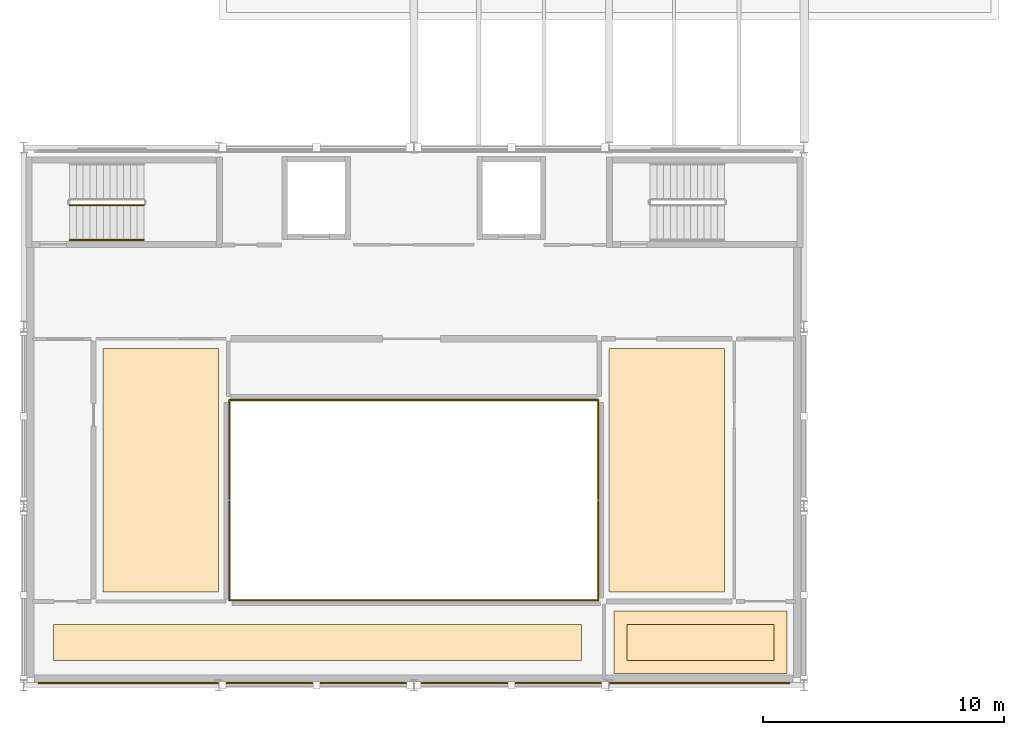
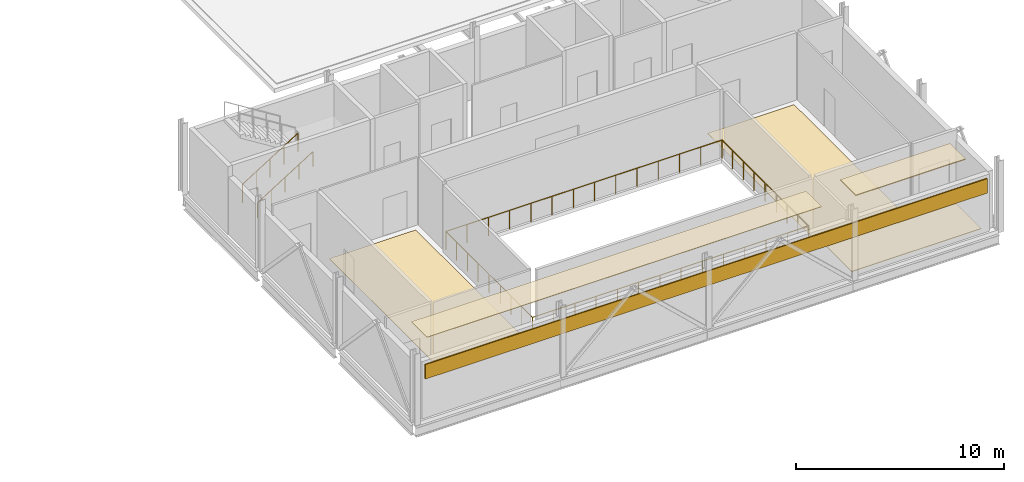
# One storey, part 5 of 7: 6 coverings, 4 railings.
"""IFC4 building model written with IfcOpenShell, lengths in metres."""

from ifc_helpers import new_model, si_unit, direction, frame, origin, origin_2d, place, context, subcontext, project, spatial, polyline, rectangle, circle, outline, extrude, material, layer, layer_set, type_object, element, save


model = new_model("IFC4")

# Units and contexts
model_context = context("Model", 3, precision=1e-05, world=origin(), true_north=direction((0.0, 1.0)))
body_context = subcontext(model_context, "Body", "Model", "MODEL_VIEW")
ifc_project = project(units=[si_unit("LENGTHUNIT", "METRE"), si_unit("AREAUNIT", "SQUARE_METRE"), si_unit("VOLUMEUNIT", "CUBIC_METRE"), si_unit("PLANEANGLEUNIT", "RADIAN"), si_unit("MASSUNIT", "GRAM", prefix="KILO")], contexts=[model_context])

# Site, building, storey
site_placement = place(None, origin())
site = spatial("IfcSite", under=ifc_project, at=site_placement, CompositionType="ELEMENT")
building_placement = place(site_placement, origin())
building = spatial("IfcBuilding", under=site, at=building_placement, Name="Kaelora Sail Theatre", CompositionType="ELEMENT")
storey_placement = place(building_placement, frame((0.0, 0.0, 23.39990234375)))
storey = spatial("IfcBuildingStorey", under=building, at=storey_placement, Name="L05", CompositionType="ELEMENT", Elevation=23.39990234375)

# Coverings
ifc_material_1 = material(Name="Micro-perforated timber acoustic reflector", Category="wood")
ifc_layer_1 = layer(ifc_material_1, 0.050048828125)
ifc_layer_set_1 = layer_set([ifc_layer_1], Name="Micro-perforated timber acoustic reflector")
covering_type_1 = type_object("IfcCoveringType", Name="ARC-COV-CLG-AC-50", PredefinedType="CEILING", material=ifc_layer_set_1)
covering_1_placement = place(storey_placement, frame((0.0, 0.0, 3.93017578125)))
element("IfcCovering", 1, at=covering_1_placement, inside=storey, type_object=covering_type_1, Name="Acoustic ceiling L05-FLY-DIM", PredefinedType="CEILING", context=body_context, shape_type="SweptSolid", body=[
    extrude(outline(polyline([(50.85009765625, 62.050048828125), (56.949951171875, 62.050048828125), (56.949951171875, 63.550048828125), (50.85009765625, 63.550048828125), (50.85009765625, 62.050048828125)])), origin(), (0.0, 0.0, 1.0), 0.0498046875),
])
ifc_material_2 = material(Name="Suspended acoustic mineral-fibre ceiling", Category="gypsum")
ifc_layer_2 = layer(ifc_material_2, 0.034912109375)
ifc_layer_set_2 = layer_set([ifc_layer_2], Name="Suspended acoustic mineral-fibre ceiling")
covering_type_2 = type_object("IfcCoveringType", Name="ARC-COV-CLG-GYP-35", PredefinedType="CEILING", material=ifc_layer_set_2)
covering_2_placement = place(storey_placement, frame((0.0, 0.0, 3.945068359375)))
element("IfcCovering", 2, at=covering_2_placement, inside=storey, type_object=covering_type_2, Name="Acoustic ceiling L05-FLY-SOUTH", PredefinedType="CEILING", context=body_context, shape_type="SweptSolid", body=[
    extrude(outline(polyline([(27.050048828125, 62.050048828125), (48.949951171875, 62.050048828125), (48.949951171875, 63.550048828125), (27.050048828125, 63.550048828125), (27.050048828125, 62.050048828125)])), origin(), (0.0, 0.0, 1.0), 0.034912109375),
])
ifc_material_3 = material(Name="Acoustic rubber backstage studio flooring", Category="rubber")
ifc_layer_3 = layer(ifc_material_3, 0.02197265625)
ifc_layer_set_3 = layer_set([ifc_layer_3], Name="Acoustic rubber backstage studio flooring")
covering_type_3 = type_object("IfcCoveringType", Name="ARC-COV-FLR-AC-22", PredefinedType="FLOORING", material=ifc_layer_set_3)
covering_3_placement = place(storey_placement, origin())
element("IfcCovering", 3, at=covering_3_placement, inside=storey, type_object=covering_type_3, Name="Architectural flooring L05-FLY-CLD", PredefinedType="FLOORING", context=body_context, shape_type="SweptSolid", body=[
    extrude(outline(polyline([(29.10009765625, 64.89990234375), (33.89990234375, 64.89990234375), (33.89990234375, 75.0), (29.10009765625, 75.0), (29.10009765625, 64.89990234375)])), origin(), (0.0, 0.0, 1.0), 0.022216796875),
])
covering_4_placement = place(storey_placement, origin())
element("IfcCovering", 4, at=covering_4_placement, inside=storey, type_object=covering_type_3, Name="Architectural flooring L05-FLY-CWT", PredefinedType="FLOORING", context=body_context, shape_type="SweptSolid", body=[
    extrude(outline(polyline([(50.10009765625, 64.89990234375), (54.89990234375, 64.89990234375), (54.89990234375, 75.0), (50.10009765625, 75.0), (50.10009765625, 64.89990234375)])), origin(), (0.0, 0.0, 1.0), 0.022216796875),
])
ifc_material_4 = material(Name="Sprung West African iroko stage and dance floor", Category="timber")
ifc_layer_4 = layer(ifc_material_4, 0.028076171875)
ifc_layer_set_4 = layer_set([ifc_layer_4], Name="Sprung West African iroko stage and dance floor")
covering_type_4 = type_object("IfcCoveringType", Name="ARC-COV-FLR-OAK-28", PredefinedType="FLOORING", material=ifc_layer_set_4)
covering_5_placement = place(storey_placement, origin())
element("IfcCovering", 5, at=covering_5_placement, inside=storey, type_object=covering_type_4, Name="Architectural flooring L05-FLY-DIM", PredefinedType="FLOORING", context=body_context, shape_type="SweptSolid", body=[
    extrude(outline(polyline([(50.300048828125, 61.5), (57.5, 61.5), (57.5, 64.10009765625), (50.300048828125, 64.10009765625), (50.300048828125, 61.5)])), origin(), (0.0, 0.0, 1.0), 0.028076171875),
])
ifc_material_5 = material(Name="Warm terracotta acoustic Postmodern facade entablature", Category="masonry")
ifc_layer_5 = layer(ifc_material_5, 0.06494140625)
ifc_layer_set_5 = layer_set([ifc_layer_5], Name="Warm terracotta acoustic Postmodern facade entablature")
covering_type_5 = type_object("IfcCoveringType", Name="ARC-COV-TRC", PredefinedType="CLADDING", material=ifc_layer_set_5)
covering_6_placement = place(storey_placement, frame((42.0, 61.1201171875, 2.324951171875), z_axis=(0.0, 0.0, 1.0), x_axis=(1.0, 0.0, 0.0)))
element("IfcCovering", 6, at=covering_6_placement, inside=storey, type_object=covering_type_5, Name="Fly Tower South Terracotta Frieze Band (L05)", PredefinedType="CLADDING", context=body_context, shape_type="SweptSolid", body=[
    extrude(rectangle(XDim=31.199951171875, YDim=0.06494140625, at=origin_2d()), origin(), (0.0, 0.0, 1.0), 0.85009765625),
])

# Railings
ifc_material_6 = material(Name="Painted steel and laminated safety glass guard", Category="steel")
railing_type_1 = type_object("IfcRailingType", Name="ARC-RL-GRD", PredefinedType="GUARDRAIL", material=ifc_material_6)
railing_1_placement = place(storey_placement, frame((27.7099609375, 80.949951171875, 0.175048828125)))
element("IfcRailing", 7, at=railing_1_placement, inside=storey, type_object=railing_type_1, Name="L05 ST-K1 stair guard 1", PredefinedType="GUARDRAIL", context=body_context, shape_type="SweptSolid", body=[
    extrude(circle(Radius=0.02392578125, at=origin_2d()), frame((0.0, 0.0, 1.076171875), z_axis=(0.847998304005, 0.0, 0.529998940003), x_axis=(0.0, 1.0, 0.0)), (0.0, 0.0, 1.0), 3.632080078125),
    extrude(circle(Radius=0.02099609375, at=origin_2d()), origin(), (0.0, 0.0, 1.0), 1.052001953125),
    extrude(circle(Radius=0.02099609375, at=origin_2d()), frame((0.77001953125, 0.0, 0.481201171875)), (0.0, 0.0, 1.0), 1.052001953125),
    extrude(circle(Radius=0.02099609375, at=origin_2d()), frame((1.5400390625, 0.0, 0.96240234375)), (0.0, 0.0, 1.0), 1.052001953125),
    extrude(circle(Radius=0.02099609375, at=origin_2d()), frame((2.31005859375, 0.0, 1.44384765625)), (0.0, 0.0, 1.0), 1.052001953125),
    extrude(circle(Radius=0.02099609375, at=origin_2d()), frame((3.080078125, 0.0, 1.925048828125)), (0.0, 0.0, 1.0), 1.052001953125),
])
railing_2_placement = place(storey_placement, frame((34.340087890625, 68.64990234375, 0.0)))
element("IfcRailing", 8, at=railing_2_placement, inside=storey, type_object=railing_type_1, Name="Interior void balustrade FLY-V5 south", PredefinedType="GUARDRAIL", context=body_context, shape_type="SweptSolid", body=[
    extrude(circle(Radius=0.02392578125, at=origin_2d()), frame((0.0, 0.0, 1.076171875), z_axis=(0.0, -1.0, 0.0), x_axis=(1.0, 0.0, 0.0)), (0.0, 0.0, 1.0), 4.10986328125),
    extrude(circle(Radius=0.02392578125, at=origin_2d()), frame((0.0, -4.10986328125, 1.076171875), z_axis=(1.0, 0.0, 0.0), x_axis=(0.0, 1.0, 0.0)), (0.0, 0.0, 1.0), 15.31982421875),
    extrude(circle(Radius=0.02392578125, at=origin_2d()), frame((15.31982421875, -4.10986328125, 1.076171875), z_axis=(0.0, 1.0, 0.0), x_axis=(-1.0, 0.0, 0.0)), (0.0, 0.0, 1.0), 4.10986328125),
    extrude(circle(Radius=0.02099609375, at=origin_2d()), origin(), (0.0, 0.0, 1.0), 1.052001953125),
    extrude(circle(Radius=0.02099609375, at=origin_2d()), frame((0.0, -1.02734375, 0.0)), (0.0, 0.0, 1.0), 1.052001953125),
    extrude(circle(Radius=0.02099609375, at=origin_2d()), frame((0.0, -2.054931640625, 0.0)), (0.0, 0.0, 1.0), 1.052001953125),
    extrude(circle(Radius=0.02099609375, at=origin_2d()), frame((0.0, -3.08251953125, 0.0)), (0.0, 0.0, 1.0), 1.052001953125),
    extrude(circle(Radius=0.02099609375, at=origin_2d()), frame((0.0, -4.10986328125, 0.0)), (0.0, 0.0, 1.0), 1.052001953125),
    extrude(circle(Radius=0.02099609375, at=origin_2d()), frame((1.178466796875, -4.10986328125, 0.0)), (0.0, 0.0, 1.0), 1.052001953125),
    extrude(circle(Radius=0.02099609375, at=origin_2d()), frame((2.35693359375, -4.10986328125, 0.0)), (0.0, 0.0, 1.0), 1.052001953125),
    extrude(circle(Radius=0.02099609375, at=origin_2d()), frame((3.535400390625, -4.10986328125, 0.0)), (0.0, 0.0, 1.0), 1.052001953125),
    extrude(circle(Radius=0.02099609375, at=origin_2d()), frame((4.7138671875, -4.10986328125, 0.0)), (0.0, 0.0, 1.0), 1.052001953125),
    extrude(circle(Radius=0.02099609375, at=origin_2d()), frame((5.892333984375, -4.10986328125, 0.0)), (0.0, 0.0, 1.0), 1.052001953125),
    extrude(circle(Radius=0.02099609375, at=origin_2d()), frame((7.07080078125, -4.10986328125, 0.0)), (0.0, 0.0, 1.0), 1.052001953125),
    extrude(circle(Radius=0.02099609375, at=origin_2d()), frame((8.2490234375, -4.10986328125, 0.0)), (0.0, 0.0, 1.0), 1.052001953125),
    extrude(circle(Radius=0.02099609375, at=origin_2d()), frame((9.427490234375, -4.10986328125, 0.0)), (0.0, 0.0, 1.0), 1.052001953125),
    extrude(circle(Radius=0.02099609375, at=origin_2d()), frame((10.60595703125, -4.10986328125, 0.0)), (0.0, 0.0, 1.0), 1.052001953125),
    extrude(circle(Radius=0.02099609375, at=origin_2d()), frame((11.784423828125, -4.10986328125, 0.0)), (0.0, 0.0, 1.0), 1.052001953125),
    extrude(circle(Radius=0.02099609375, at=origin_2d()), frame((12.962890625, -4.10986328125, 0.0)), (0.0, 0.0, 1.0), 1.052001953125),
    extrude(circle(Radius=0.02099609375, at=origin_2d()), frame((14.141357421875, -4.10986328125, 0.0)), (0.0, 0.0, 1.0), 1.052001953125),
    extrude(circle(Radius=0.02099609375, at=origin_2d()), frame((15.31982421875, -4.10986328125, 0.0)), (0.0, 0.0, 1.0), 1.052001953125),
    extrude(circle(Radius=0.02099609375, at=origin_2d()), frame((15.31982421875, -3.08251953125, 0.0)), (0.0, 0.0, 1.0), 1.052001953125),
    extrude(circle(Radius=0.02099609375, at=origin_2d()), frame((15.31982421875, -2.054931640625, 0.0)), (0.0, 0.0, 1.0), 1.052001953125),
    extrude(circle(Radius=0.02099609375, at=origin_2d()), frame((15.31982421875, -1.02734375, 0.0)), (0.0, 0.0, 1.0), 1.052001953125),
    extrude(circle(Radius=0.02099609375, at=origin_2d()), frame((15.31982421875, 0.0, 0.0)), (0.0, 0.0, 1.0), 1.052001953125),
])
railing_3_placement = place(storey_placement, frame((49.659912109375, 68.75, 0.0)))
element("IfcRailing", 9, at=railing_3_placement, inside=storey, type_object=railing_type_1, Name="Interior void balustrade FLY-V5 north", PredefinedType="GUARDRAIL", context=body_context, shape_type="SweptSolid", body=[
    extrude(circle(Radius=0.02392578125, at=origin_2d()), frame((0.0, 0.0, 1.076171875), z_axis=(0.0, 1.0, 0.0), x_axis=(-1.0, 0.0, 0.0)), (0.0, 0.0, 1.0), 4.110107421875),
    extrude(circle(Radius=0.02392578125, at=origin_2d()), frame((0.0, 4.110107421875, 1.076171875), z_axis=(-1.0, 0.0, 0.0), x_axis=(0.0, -1.0, 0.0)), (0.0, 0.0, 1.0), 15.31982421875),
    extrude(circle(Radius=0.02392578125, at=origin_2d()), frame((-15.31982421875, 4.110107421875, 1.076171875), z_axis=(0.0, -1.0, 0.0), x_axis=(1.0, 0.0, 0.0)), (0.0, 0.0, 1.0), 4.110107421875),
    extrude(circle(Radius=0.02099609375, at=origin_2d()), origin(), (0.0, 0.0, 1.0), 1.052001953125),
    extrude(circle(Radius=0.02099609375, at=origin_2d()), frame((0.0, 1.027587890625, 0.0)), (0.0, 0.0, 1.0), 1.052001953125),
    extrude(circle(Radius=0.02099609375, at=origin_2d()), frame((0.0, 2.05517578125, 0.0)), (0.0, 0.0, 1.0), 1.052001953125),
    extrude(circle(Radius=0.02099609375, at=origin_2d()), frame((0.0, 3.08251953125, 0.0)), (0.0, 0.0, 1.0), 1.052001953125),
    extrude(circle(Radius=0.02099609375, at=origin_2d()), frame((0.0, 4.110107421875, 0.0)), (0.0, 0.0, 1.0), 1.052001953125),
    extrude(circle(Radius=0.02099609375, at=origin_2d()), frame((-1.178466796875, 4.110107421875, 0.0)), (0.0, 0.0, 1.0), 1.052001953125),
    extrude(circle(Radius=0.02099609375, at=origin_2d()), frame((-2.35693359375, 4.110107421875, 0.0)), (0.0, 0.0, 1.0), 1.052001953125),
    extrude(circle(Radius=0.02099609375, at=origin_2d()), frame((-3.535400390625, 4.110107421875, 0.0)), (0.0, 0.0, 1.0), 1.052001953125),
    extrude(circle(Radius=0.02099609375, at=origin_2d()), frame((-4.7138671875, 4.110107421875, 0.0)), (0.0, 0.0, 1.0), 1.052001953125),
    extrude(circle(Radius=0.02099609375, at=origin_2d()), frame((-5.892333984375, 4.110107421875, 0.0)), (0.0, 0.0, 1.0), 1.052001953125),
    extrude(circle(Radius=0.02099609375, at=origin_2d()), frame((-7.07080078125, 4.110107421875, 0.0)), (0.0, 0.0, 1.0), 1.052001953125),
    extrude(circle(Radius=0.02099609375, at=origin_2d()), frame((-8.2490234375, 4.110107421875, 0.0)), (0.0, 0.0, 1.0), 1.052001953125),
    extrude(circle(Radius=0.02099609375, at=origin_2d()), frame((-9.427490234375, 4.110107421875, 0.0)), (0.0, 0.0, 1.0), 1.052001953125),
    extrude(circle(Radius=0.02099609375, at=origin_2d()), frame((-10.60595703125, 4.110107421875, 0.0)), (0.0, 0.0, 1.0), 1.052001953125),
    extrude(circle(Radius=0.02099609375, at=origin_2d()), frame((-11.784423828125, 4.110107421875, 0.0)), (0.0, 0.0, 1.0), 1.052001953125),
    extrude(circle(Radius=0.02099609375, at=origin_2d()), frame((-12.962890625, 4.110107421875, 0.0)), (0.0, 0.0, 1.0), 1.052001953125),
    extrude(circle(Radius=0.02099609375, at=origin_2d()), frame((-14.141357421875, 4.110107421875, 0.0)), (0.0, 0.0, 1.0), 1.052001953125),
    extrude(circle(Radius=0.02099609375, at=origin_2d()), frame((-15.31982421875, 4.110107421875, 0.0)), (0.0, 0.0, 1.0), 1.052001953125),
    extrude(circle(Radius=0.02099609375, at=origin_2d()), frame((-15.31982421875, 3.08251953125, 0.0)), (0.0, 0.0, 1.0), 1.052001953125),
    extrude(circle(Radius=0.02099609375, at=origin_2d()), frame((-15.31982421875, 2.05517578125, 0.0)), (0.0, 0.0, 1.0), 1.052001953125),
    extrude(circle(Radius=0.02099609375, at=origin_2d()), frame((-15.31982421875, 1.027587890625, 0.0)), (0.0, 0.0, 1.0), 1.052001953125),
    extrude(circle(Radius=0.02099609375, at=origin_2d()), frame((-15.31982421875, 0.0, 0.0)), (0.0, 0.0, 1.0), 1.052001953125),
])
ifc_material_7 = material(Name="Brushed stainless steel 316L tubular handrail", Category="steel")
railing_type_2 = type_object("IfcRailingType", Name="ARC-RL-HND", PredefinedType="HANDRAIL", material=ifc_material_7)
railing_4_placement = place(storey_placement, frame((27.7099609375, 79.5, 0.175048828125)))
element("IfcRailing", 10, at=railing_4_placement, inside=storey, type_object=railing_type_2, Name="L05 ST-K1 stair handrail 1", PredefinedType="HANDRAIL", context=body_context, shape_type="SweptSolid", body=[
    extrude(circle(Radius=0.02392578125, at=origin_2d()), frame((0.0, 0.0, 0.8759765625), z_axis=(0.847998304005, 0.0, 0.529998940003), x_axis=(0.0, 1.0, 0.0)), (0.0, 0.0, 1.0), 3.632080078125),
    extrude(circle(Radius=0.02099609375, at=origin_2d()), origin(), (0.0, 0.0, 1.0), 0.851806640625),
    extrude(circle(Radius=0.02099609375, at=origin_2d()), frame((0.77001953125, 0.0, 0.481201171875)), (0.0, 0.0, 1.0), 0.851806640625),
    extrude(circle(Radius=0.02099609375, at=origin_2d()), frame((1.5400390625, 0.0, 0.96240234375)), (0.0, 0.0, 1.0), 0.851806640625),
    extrude(circle(Radius=0.02099609375, at=origin_2d()), frame((2.31005859375, 0.0, 1.44384765625)), (0.0, 0.0, 1.0), 0.851806640625),
    extrude(circle(Radius=0.02099609375, at=origin_2d()), frame((3.080078125, 0.0, 1.925048828125)), (0.0, 0.0, 1.0), 0.851806640625),
])

save(model, "model.ifc")
